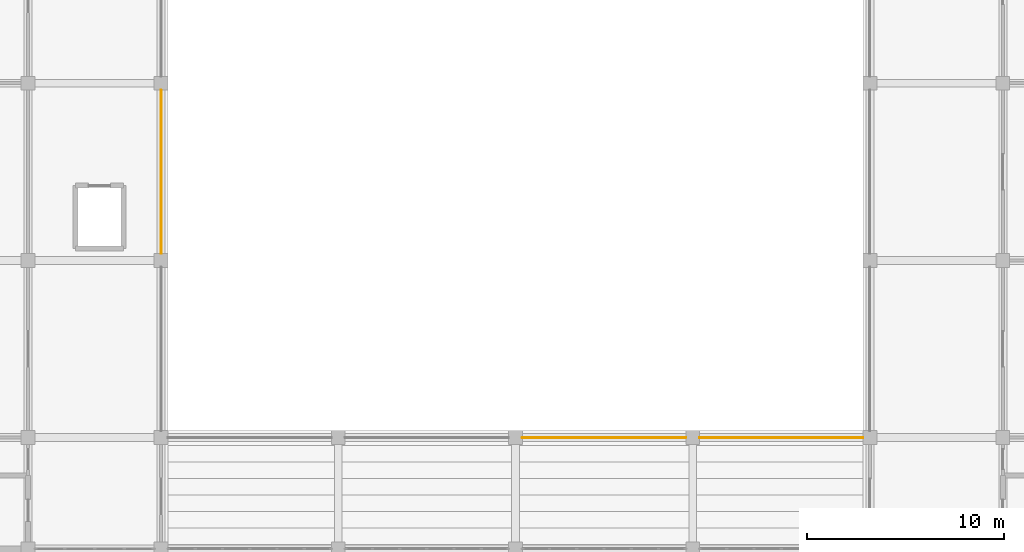
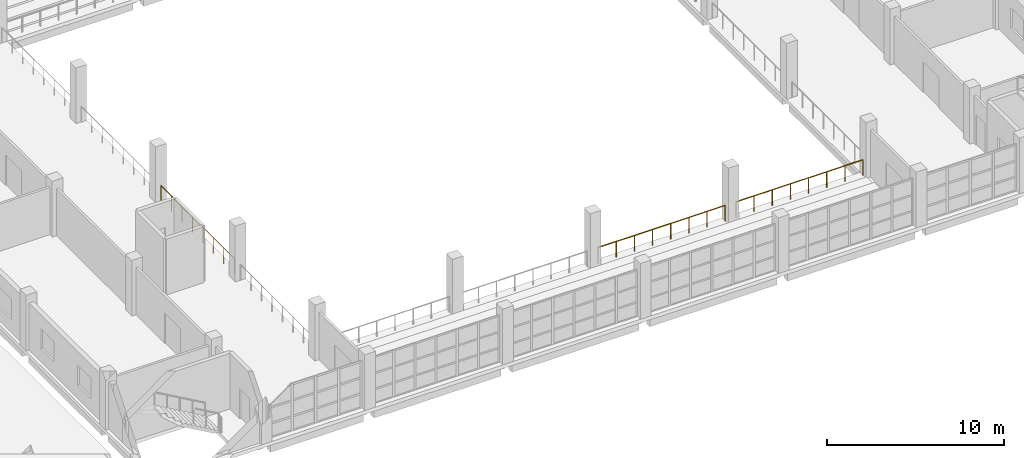
# One storey, part 30 of 36: 3 railings.
"""IFC4 building model written with IfcOpenShell, lengths in metres."""

from ifc_helpers import new_model, si_unit, direction, frame, origin, origin_2d, place, context, subcontext, project, spatial, circle, extrude, material, type_object, element, save


model = new_model("IFC4")

# Units and contexts
model_context = context("Model", 3, precision=1e-05, world=origin(), true_north=direction((0.0, 1.0)))
body_context = subcontext(model_context, "Body", "Model", "MODEL_VIEW")
ifc_project = project(units=[si_unit("LENGTHUNIT", "METRE"), si_unit("AREAUNIT", "SQUARE_METRE"), si_unit("VOLUMEUNIT", "CUBIC_METRE"), si_unit("PLANEANGLEUNIT", "RADIAN"), si_unit("MASSUNIT", "GRAM", prefix="KILO")], contexts=[model_context])

# Site, building, storey
site_placement = place(None, origin())
site = spatial("IfcSite", under=ifc_project, at=site_placement, CompositionType="ELEMENT")
building_placement = place(site_placement, origin())
building = spatial("IfcBuilding", under=site, at=building_placement, Name="Corbel Stack Research Tower", CompositionType="ELEMENT")
storey_placement = place(building_placement, frame((0.0, 0.0, 7.199951171875)))
storey = spatial("IfcBuildingStorey", under=building, at=storey_placement, Name="L01", CompositionType="ELEMENT", Elevation=7.199951171875)

# Railings
ifc_material = material(Name="Steel S235", Category="steel")
railing_type = type_object("IfcRailingType", Name="HR1 guard 1100", PredefinedType="GUARDRAIL", material=ifc_material)
railing_placement = place(storey_placement, frame((50.949951171875, -8.64990234375, 0.0)))
element("IfcRailing", 1, at=railing_placement, inside=storey, type_object=railing_type, Name="Court guard 3", PredefinedType="GUARDRAIL", context=body_context, shape_type="SweptSolid", body=[
    extrude(circle(Radius=0.02392578125, at=origin_2d()), frame((0.0, 0.0, 1.076171875), z_axis=(0.0, 1.0, 0.0), x_axis=(-1.0, 0.0, 0.0)), (0.0, 0.0, 1.0), 8.2998046875),
    extrude(circle(Radius=0.02099609375, at=origin_2d()), origin(), (0.0, 0.0, 1.0), 1.052001953125),
    extrude(circle(Radius=0.02099609375, at=origin_2d()), frame((0.0, 1.185791015625, 0.0)), (0.0, 0.0, 1.0), 1.052001953125),
    extrude(circle(Radius=0.02099609375, at=origin_2d()), frame((0.0, 2.371337890625, 0.0)), (0.0, 0.0, 1.0), 1.052001953125),
    extrude(circle(Radius=0.02099609375, at=origin_2d()), frame((0.0, 3.55712890625, 0.0)), (0.0, 0.0, 1.0), 1.052001953125),
    extrude(circle(Radius=0.02099609375, at=origin_2d()), frame((0.0, 4.74267578125, 0.0)), (0.0, 0.0, 1.0), 1.052001953125),
    extrude(circle(Radius=0.02099609375, at=origin_2d()), frame((0.0, 5.928466796875, 0.0)), (0.0, 0.0, 1.0), 1.052001953125),
    extrude(circle(Radius=0.02099609375, at=origin_2d()), frame((0.0, 7.114013671875, 0.0)), (0.0, 0.0, 1.0), 1.052001953125),
    extrude(circle(Radius=0.02099609375, at=origin_2d()), frame((0.0, 8.2998046875, 0.0)), (0.0, 0.0, 1.0), 1.052001953125),
])
for number, where, name in (
    (2, (69.300048828125, -18.0, 0.0), "Court guard 13"),
    (3, (78.300048828125, -18.0, 0.0), "Court guard 15"),
):
    element("IfcRailing", number, at=place(storey_placement, frame(where)), inside=storey, type_object=railing_type, Name=name, PredefinedType="GUARDRAIL", context=body_context, shape_type="SweptSolid", body=[
        extrude(circle(Radius=0.02392578125, at=origin_2d()), frame((0.0, 0.0, 1.076171875), z_axis=(1.0, 0.0, 0.0), x_axis=(0.0, 1.0, 0.0)), (0.0, 0.0, 1.0), 8.300048828125),
        extrude(circle(Radius=0.02099609375, at=origin_2d()), origin(), (0.0, 0.0, 1.0), 1.052001953125),
        extrude(circle(Radius=0.02099609375, at=origin_2d()), frame((1.185791015625, 0.0, 0.0)), (0.0, 0.0, 1.0), 1.052001953125),
        extrude(circle(Radius=0.02099609375, at=origin_2d()), frame((2.371337890625, 0.0, 0.0)), (0.0, 0.0, 1.0), 1.052001953125),
        extrude(circle(Radius=0.02099609375, at=origin_2d()), frame((3.55712890625, 0.0, 0.0)), (0.0, 0.0, 1.0), 1.052001953125),
        extrude(circle(Radius=0.02099609375, at=origin_2d()), frame((4.742919921875, 0.0, 0.0)), (0.0, 0.0, 1.0), 1.052001953125),
        extrude(circle(Radius=0.02099609375, at=origin_2d()), frame((5.9287109375, 0.0, 0.0)), (0.0, 0.0, 1.0), 1.052001953125),
        extrude(circle(Radius=0.02099609375, at=origin_2d()), frame((7.1142578125, 0.0, 0.0)), (0.0, 0.0, 1.0), 1.052001953125),
        extrude(circle(Radius=0.02099609375, at=origin_2d()), frame((8.300048828125, 0.0, 0.0)), (0.0, 0.0, 1.0), 1.052001953125),
    ])

save(model, "model.ifc")
